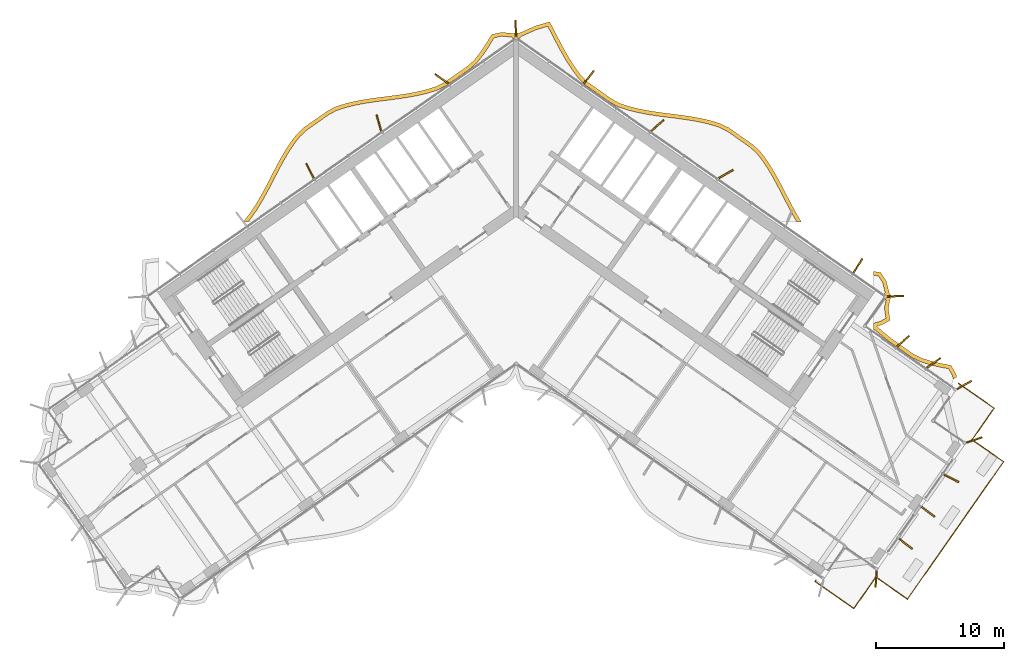
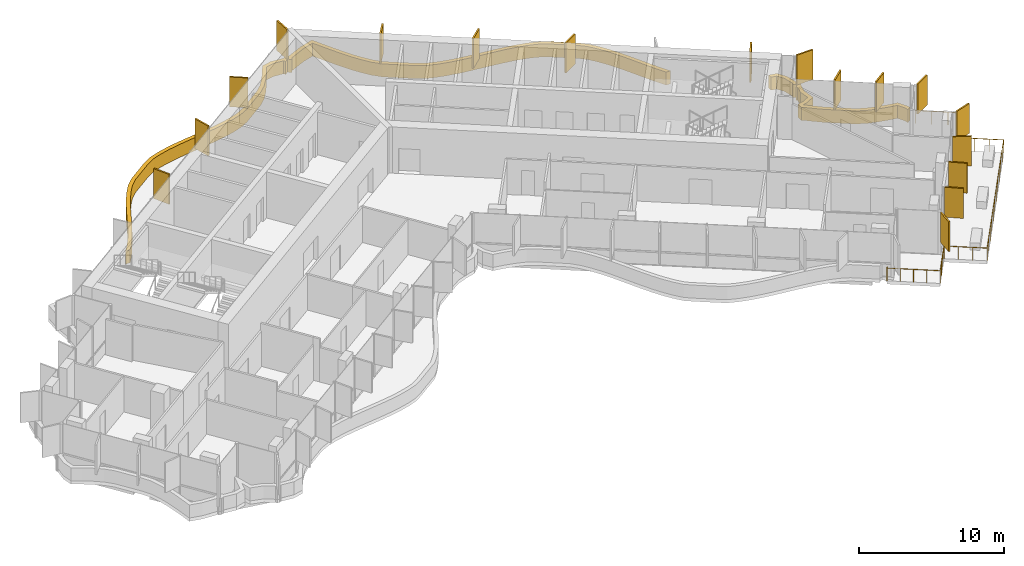
# One storey, part 22 of 23: 19 shading devices, 1 railing.
"""IFC4 building model written with IfcOpenShell, lengths in metres."""

from ifc_helpers import new_model, si_unit, direction, frame, origin, origin_2d, place, context, subcontext, project, spatial, polyline, rectangle, circle, outline, extrude, material, layer, layer_set, type_object, element, save


model = new_model("IFC4")

# Units and contexts
model_context = context("Model", 3, precision=1e-05, world=origin(), true_north=direction((0.0, 1.0)))
body_context = subcontext(model_context, "Body", "Model", "MODEL_VIEW")
ifc_project = project(units=[si_unit("LENGTHUNIT", "METRE"), si_unit("AREAUNIT", "SQUARE_METRE"), si_unit("VOLUMEUNIT", "CUBIC_METRE"), si_unit("PLANEANGLEUNIT", "RADIAN"), si_unit("MASSUNIT", "GRAM", prefix="KILO")], contexts=[model_context])

# Site, building, storey
site_placement = place(None, origin())
site = spatial("IfcSite", under=ifc_project, at=site_placement, CompositionType="ELEMENT")
building_placement = place(site_placement, origin())
building = spatial("IfcBuilding", under=site, at=building_placement, Name="Tel Ilan Convention Tower", CompositionType="ELEMENT")
storey_placement = place(building_placement, frame((0.0, 0.0, 190.5)))
storey = spatial("IfcBuildingStorey", under=building, at=storey_placement, Name="L44", CompositionType="ELEMENT", Elevation=190.5)

# Shading devices
ifc_material_1 = material(Name="Aluminium, bronze anodised", Category="aluminium")
ifc_layer_1 = layer(ifc_material_1, 0.1201171875)
ifc_layer_set_1 = layer_set([ifc_layer_1], Name="FIN BRONZE 1300x120")
shading_device_type_1 = type_object("IfcShadingDeviceType", Name="FIN BRONZE 1300x120", PredefinedType="USERDEFINED", material=ifc_layer_set_1)
for number, where, z_axis, x_axis, name in (
    (1, (30.401611328125, -26.758544921875, 1.10009765625), (0.0, 0.0, 1.0), (0.790392669516, -0.612600545196, 0.0), "FIN"),
    (2, (32.151123046875, -24.260009765625, 1.10009765625), (0.0, 0.0, 1.0), (0.790392669516, -0.612600545196, 0.0), "FIN"),
    (3, (33.972412109375, -21.658447265625, 1.10009765625), (0.0, 0.0, 1.0), (0.893632640321, -0.448799180206, 0.0), "FIN"),
    (4, (35.75927734375, -18.65771484375, 1.10009765625), (0.0, 0.0, 1.0), (0.949242643575, 0.314544756146, 0.0), "FIN"),
    (5, (34.982666015625, -14.362548828125, 1.10009765625), (0.0, 0.0, 1.0), (0.870832754082, 0.491579408049, 0.0), "FIN"),
    (6, (32.58935546875, -12.647216796875, 1.10009765625), (0.0, 0.0, 1.0), (0.813552070258, 0.581492071294, 0.0), "FIN"),
    (7, (30.19873046875, -10.958251953125, 1.10009765625), (0.0, 0.0, 1.0), (0.753435896329, 0.657521368568, 0.0), "FIN"),
    (8, (29.61669921875, -7.438720703125, 1.10009765625), (0.0, 0.0, 1.0), (0.999576950082, 0.029084718749, 0.0), "FIN"),
    (9, (26.674072265625, -5.063720703125, 1.10009765625), (0.0, 0.0, 1.0), (0.533204432798, 0.845986425922, 0.0), "FIN"),
    (10, (16.372802734375, 2.103271484375, 1.10009765625), (0.0, 0.0, 1.0), (0.866025403784, 0.5, 0.0), "FIN"),
    (11, (11.028076171875, 5.88330078125, 1.10009765625), (0.0, 0.0, 1.0), (0.753435896329, 0.657521368568, 0.0), "FIN"),
    (12, (5.664794921875, 9.647216796875, 1.10009765625), (0.0, 0.0, 1.0), (0.612600545196, 0.790392669516, 0.0), "FIN"),
    (13, (-0.031494140625, 13.4697265625, 1.10009765625), (0.0, 0.0, 1.0), (-0.048462378231, 0.998825008646, 0.0), "FIN"),
    (14, (-5.80517578125, 9.525390625, 1.10009765625), (0.0, 0.0, 1.0), (-0.813552070258, 0.581492071294, 0.0), "FIN"),
    (15, (-10.716064453125, 6.086669921875, 1.10009765625), (0.0, 0.0, 1.0), (-0.268172612768, 0.963370878614, 0.0), "FIN"),
    (16, (-16.092041015625, 2.345458984375, 1.10009765625), (0.0, 0.0, 1.0), (-0.448799180206, 0.893632640321, 0.0), "FIN"),
    (17, (28.094970703125, -29.51953125, 1.10009765625), (0.0, 0.0, 1.0), (-0.067821812994, -0.997697449973, 0.0), "FIN"),
):
    element("IfcShadingDevice", number, at=place(storey_placement, frame(where, z_axis=z_axis, x_axis=x_axis)), inside=storey, type_object=shading_device_type_1, Name=name, ObjectType="FIN", PredefinedType="USERDEFINED", context=body_context, shape_type="SweptSolid", body=[
        extrude(rectangle(XDim=1.300048828125, YDim=0.1201171875, at=origin_2d()), origin(), (0.0, 0.0, 1.0), 2.52001953125),
    ])
ifc_material_2 = material(Name="Aluminium, bronze anodised", Category="aluminium")
ifc_layer_2 = layer(ifc_material_2, 0.300048828125)
ifc_layer_set_2 = layer_set([ifc_layer_2], Name="LOUVRE BAND 300x1100")
shading_device_type_2 = type_object("IfcShadingDeviceType", Name="LOUVRE BAND 300x1100", PredefinedType="USERDEFINED", material=ifc_layer_set_2)
shading_device_1_placement = place(storey_placement, origin())
element("IfcShadingDevice", 18, at=shading_device_1_placement, inside=storey, type_object=shading_device_type_2, Name="LOUVRE BAND 34.01", ObjectType="LOUVRE", PredefinedType="USERDEFINED", context=body_context, shape_type="SweptSolid", body=[
    extrude(outline(polyline([(28.465576171875, -5.595458984375), (27.874755859375, -5.485595703125), (27.874755859375, -5.790771484375), (28.28271484375, -5.86669921875), (28.614990234375, -6.387451171875), (28.806640625, -7.1533203125), (28.713134765625, -7.286865234375), (28.958740234375, -7.458984375), (28.787353515625, -7.705322265625), (28.869384765625, -7.7626953125), (28.73974609375, -8.364990234375), (28.8642578125, -9.165283203125), (28.3837890625, -9.413330078125), (27.874755859375, -9.5439453125), (27.874755859375, -10.004150390625), (28.01806640625, -10.072021484375), (28.538330078125, -10.513916015625), (29.1044921875, -10.979248046875), (30.895751953125, -12.2333984375), (31.593505859375, -12.56591796875), (32.34228515625, -12.799072265625), (33.10986328125, -12.980712890625), (33.7529296875, -13.101806640625), (34.05615234375, -13.635498046875), (34.133544921875, -13.94140625), (34.1923828125, -13.873291015625), (34.26953125, -13.81298828125), (34.39599609375, -13.755615234375), (34.3369140625, -13.5224609375), (33.945068359375, -12.832763671875), (33.172119140625, -12.68701171875), (32.421630859375, -12.509521484375), (31.703369140625, -12.285888671875), (31.047119140625, -11.973388671875), (29.2861328125, -10.740234375), (28.730712890625, -10.28369140625), (28.18212890625, -9.817626953125), (28.123291015625, -9.789794921875), (28.491455078125, -9.6953125), (29.19384765625, -9.332763671875), (29.044921875, -8.373779296875), (29.20458984375, -7.631103515625), (29.199951171875, -7.6279296875), (29.236083984375, -7.57373046875), (29.2587890625, -7.458984375), (29.236083984375, -7.34423828125), (29.1708984375, -7.246826171875), (29.127685546875, -7.218017578125), (28.894287109375, -6.267333984375), (28.465576171875, -5.595458984375)])), origin(), (0.0, 0.0, 1.0), 1.10009765625),
])
shading_device_2_placement = place(storey_placement, origin())
element("IfcShadingDevice", 19, at=shading_device_2_placement, inside=storey, type_object=shading_device_type_2, Name="LOUVRE BAND 34.03", ObjectType="LOUVRE", PredefinedType="USERDEFINED", context=body_context, shape_type="SweptSolid", body=[
    extrude(outline(polyline([(-20.849609375, -1.0634765625), (-21.30126953125, -1.631591796875), (-20.91796875, -1.631591796875), (-20.607666015625, -1.2412109375), (-20.154052734375, -0.572265625), (-19.73291015625, 0.13330078125), (-19.335205078125, 0.86328125), (-18.57080078125, 2.342041015625), (-18.1845703125, 3.06298828125), (-17.78369140625, 3.75341796875), (-17.359619140625, 4.40185546875), (-16.911376953125, 4.99072265625), (-16.409912109375, 5.478515625), (-14.633056640625, 6.722412109375), (-14.02197265625, 7.05712890625), (-13.32763671875, 7.284912109375), (-12.58056640625, 7.4697265625), (-11.800048828125, 7.61669921875), (-10.994384765625, 7.73681640625), (-9.345458984375, 7.94873046875), (-8.521484375, 8.068603515625), (-7.710693359375, 8.216064453125), (-6.921875, 8.404296875), (-6.152587890625, 8.64794921875), (-5.447509765625, 9.00390625), (-3.604248046875, 10.29443359375), (-3.021484375, 10.82373046875), (-2.525634765625, 11.46142578125), (-2.076904296875, 12.135498046875), (-1.727783203125, 12.727294921875), (-1.12451171875, 12.861572265625), (-0.33935546875, 12.77978515625), (-0.24609375, 12.646728515625), (0.0, 12.818115234375), (0.24609375, 12.646728515625), (0.3701171875, 12.82373046875), (1.583984375, 13.365234375), (2.46484375, 13.628173828125), (3.115478515625, 12.37158203125), (3.5078125, 11.636474609375), (3.92041015625, 10.921630859375), (4.362548828125, 10.239501953125), (4.84716796875, 9.595947265625), (5.407958984375, 9.031494140625), (7.251220703125, 7.74072265625), (7.93212890625, 7.353759765625), (8.69921875, 7.09716796875), (9.48291015625, 6.89990234375), (10.2900390625, 6.745361328125), (11.112060546875, 6.621337890625), (12.762939453125, 6.408935546875), (13.572509765625, 6.29248046875), (14.3583984375, 6.15185546875), (15.11279296875, 5.97509765625), (15.819580078125, 5.75537109375), (16.44921875, 5.450927734375), (18.22607421875, 4.206787109375), (18.74951171875, 3.746826171875), (19.200927734375, 3.172607421875), (19.63037109375, 2.533447265625), (20.03515625, 1.850341796875), (20.423583984375, 1.13427734375), (21.186767578125, -0.3427734375), (21.5810546875, -1.075927734375), (21.906005859375, -1.631591796875), (22.25341796875, -1.631591796875), (21.8427734375, -0.928955078125), (21.4521484375, -0.202880859375), (20.688720703125, 1.27490234375), (20.296142578125, 1.998291015625), (19.884033203125, 2.69384765625), (19.44384765625, 3.34912109375), (18.96826171875, 3.9541015625), (18.41162109375, 4.443115234375), (16.6015625, 5.71044921875), (15.929931640625, 6.03515625), (15.191650390625, 6.2646484375), (14.419189453125, 6.44580078125), (13.6201171875, 6.588623046875), (12.80322265625, 6.7060546875), (11.15380859375, 6.91845703125), (10.340576171875, 7.041259765625), (9.547607421875, 7.19287109375), (8.783447265625, 7.385498046875), (8.054931640625, 7.62890625), (7.411865234375, 7.99462890625), (5.601806640625, 9.261962890625), (5.074462890625, 9.792724609375), (4.608642578125, 10.41162109375), (4.17626953125, 11.078369140625), (3.770263671875, 11.7822265625), (3.38134765625, 12.510986328125), (2.6162109375, 13.986328125), (1.4794921875, 13.647216796875), (0.168701171875, 13.059326171875), (0.11474609375, 13.09521484375), (0.0, 13.1181640625), (-0.11474609375, 13.09521484375), (-0.168701171875, 13.059326171875), (-1.14208984375, 13.1650390625), (-1.919921875, 12.991943359375), (-2.3310546875, 12.294921875), (-2.769287109375, 11.63671875), (-3.242431640625, 11.0283203125), (-3.7919921875, 10.529296875), (-5.601806640625, 9.261962890625), (-6.26611328125, 8.926513671875), (-7.002197265625, 8.693603515625), (-7.7724609375, 8.509765625), (-8.570068359375, 8.36474609375), (-9.385986328125, 8.24609375), (-11.03564453125, 8.033935546875), (-11.849853515625, 7.91259765625), (-12.644287109375, 7.76318359375), (-13.41064453125, 7.573486328125), (-14.141845703125, 7.33349609375), (-14.791748046875, 6.977783203125), (-16.6015625, 5.71044921875), (-17.136474609375, 5.1904296875), (-17.604736328125, 4.574951171875), (-18.0390625, 3.9111328125), (-18.44677734375, 3.209228515625), (-18.83642578125, 2.481689453125), (-19.60009765625, 1.004150390625), (-19.993408203125, 0.281982421875), (-20.4072265625, -0.4111328125), (-20.849609375, -1.0634765625)])), origin(), (0.0, 0.0, 1.0), 1.10009765625),
])

# Railing
ifc_material_3 = material(Name="Stainless steel S316", Category="steel")
railing_type = type_object("IfcRailingType", Name="TERRACE GUARD 1100", PredefinedType="GUARDRAIL", material=ifc_material_3)
railing_placement = place(storey_placement, frame((34.5380859375, -14.234619140625, 0.0)))
element("IfcRailing", 20, at=railing_placement, inside=storey, type_object=railing_type, Name="Terrace guard 34.01", PredefinedType="GUARDRAIL", context=body_context, shape_type="SweptSolid", body=[
    extrude(circle(Radius=0.02490234375, at=origin_2d()), frame((0.0, 0.0, 1.0751953125), z_axis=(0.819171076119, -0.573549255122, 0.0), x_axis=(0.573549255122, 0.819171076119, 0.0)), (0.0, 0.0, 1.0), 3.393310546875),
    extrude(circle(Radius=0.02490234375, at=origin_2d()), frame((2.77978515625, -1.9462890625, 1.0751953125), z_axis=(-0.573560650686, -0.819163097304, 0.0), x_axis=(0.819163097304, -0.573560650686, 0.0)), (0.0, 0.0, 1.0), 3.0),
    extrude(circle(Radius=0.02490234375, at=origin_2d()), frame((1.05908203125, -4.40380859375, 1.0751953125), z_axis=(0.819163097304, -0.573560650686, 0.0), x_axis=(0.573560650686, 0.819163097304, 0.0)), (0.0, 0.0, 1.0), 3.0),
    extrude(circle(Radius=0.02490234375, at=origin_2d()), frame((3.5166015625, -6.12451171875, 1.0751953125), z_axis=(-0.573577410084, -0.819151362473, 0.0), x_axis=(0.819151362473, -0.573577410084, 0.0)), (0.0, 0.0, 1.0), 13.10009765625),
    extrude(circle(Radius=0.02490234375, at=origin_2d()), frame((-3.997314453125, -16.85546875, 1.0751953125), z_axis=(-0.819163097304, 0.573560650686, 0.0), x_axis=(-0.573560650686, -0.819163097304, 0.0)), (0.0, 0.0, 1.0), 3.0),
    extrude(circle(Radius=0.02490234375, at=origin_2d()), frame((-6.454833984375, -15.134765625, 1.0751953125), z_axis=(-0.573598887793, -0.819136323161, 0.0), x_axis=(0.819136323161, -0.573598887793, 0.0)), (0.0, 0.0, 1.0), 2.999755859375),
    extrude(circle(Radius=0.02490234375, at=origin_2d()), frame((-8.175537109375, -17.592041015625, 1.0751953125), z_axis=(-0.819163713305, 0.573559770908, 0.0), x_axis=(-0.573559770908, -0.819163713305, 0.0)), (0.0, 0.0, 1.0), 3.69970703125),
    extrude(circle(Radius=0.02490234375, at=origin_2d()), frame((-11.206298828125, -15.469970703125, 1.0751953125), z_axis=(0.572328347348, 0.820024550134, 0.0), x_axis=(-0.820024550134, 0.572328347348, 0.0)), (0.0, 0.0, 1.0), 0.130126953125),
    extrude(circle(Radius=0.02490234375, at=origin_2d()), origin(), (0.0, 0.0, 1.0), 1.050048828125),
    extrude(circle(Radius=0.02490234375, at=origin_2d()), frame((0.926513671875, -0.648681640625, 0.0)), (0.0, 0.0, 1.0), 1.050048828125),
    extrude(circle(Radius=0.02490234375, at=origin_2d()), frame((1.853271484375, -1.297607421875, 0.0)), (0.0, 0.0, 1.0), 1.050048828125),
    extrude(circle(Radius=0.02490234375, at=origin_2d()), frame((2.77978515625, -1.9462890625, 0.0)), (0.0, 0.0, 1.0), 1.050048828125),
    extrude(circle(Radius=0.02490234375, at=origin_2d()), frame((2.206298828125, -2.765380859375, 0.0)), (0.0, 0.0, 1.0), 1.050048828125),
    extrude(circle(Radius=0.02490234375, at=origin_2d()), frame((1.632568359375, -3.584716796875, 0.0)), (0.0, 0.0, 1.0), 1.050048828125),
    extrude(circle(Radius=0.02490234375, at=origin_2d()), frame((1.05908203125, -4.40380859375, 0.0)), (0.0, 0.0, 1.0), 1.050048828125),
    extrude(circle(Radius=0.02490234375, at=origin_2d()), frame((1.878173828125, -4.977294921875, 0.0)), (0.0, 0.0, 1.0), 1.050048828125),
    extrude(circle(Radius=0.02490234375, at=origin_2d()), frame((2.697509765625, -5.551025390625, 0.0)), (0.0, 0.0, 1.0), 1.050048828125),
    extrude(circle(Radius=0.02490234375, at=origin_2d()), frame((3.5166015625, -6.12451171875, 0.0)), (0.0, 0.0, 1.0), 1.050048828125),
    extrude(circle(Radius=0.02490234375, at=origin_2d()), frame((2.83349609375, -7.10009765625, 0.0)), (0.0, 0.0, 1.0), 1.050048828125),
    extrude(circle(Radius=0.02490234375, at=origin_2d()), frame((2.150390625, -8.07568359375, 0.0)), (0.0, 0.0, 1.0), 1.050048828125),
    extrude(circle(Radius=0.02490234375, at=origin_2d()), frame((1.46728515625, -9.051025390625, 0.0)), (0.0, 0.0, 1.0), 1.050048828125),
    extrude(circle(Radius=0.02490234375, at=origin_2d()), frame((0.7841796875, -10.026611328125, 0.0)), (0.0, 0.0, 1.0), 1.050048828125),
    extrude(circle(Radius=0.02490234375, at=origin_2d()), frame((0.10107421875, -11.002197265625, 0.0)), (0.0, 0.0, 1.0), 1.050048828125),
    extrude(circle(Radius=0.02490234375, at=origin_2d()), frame((-0.581787109375, -11.977783203125, 0.0)), (0.0, 0.0, 1.0), 1.050048828125),
    extrude(circle(Radius=0.02490234375, at=origin_2d()), frame((-1.264892578125, -12.953369140625, 0.0)), (0.0, 0.0, 1.0), 1.050048828125),
    extrude(circle(Radius=0.02490234375, at=origin_2d()), frame((-1.947998046875, -13.928955078125, 0.0)), (0.0, 0.0, 1.0), 1.050048828125),
    extrude(circle(Radius=0.02490234375, at=origin_2d()), frame((-2.631103515625, -14.904296875, 0.0)), (0.0, 0.0, 1.0), 1.050048828125),
    extrude(circle(Radius=0.02490234375, at=origin_2d()), frame((-3.314208984375, -15.8798828125, 0.0)), (0.0, 0.0, 1.0), 1.050048828125),
    extrude(circle(Radius=0.02490234375, at=origin_2d()), frame((-3.997314453125, -16.85546875, 0.0)), (0.0, 0.0, 1.0), 1.050048828125),
    extrude(circle(Radius=0.02490234375, at=origin_2d()), frame((-4.81640625, -16.281982421875, 0.0)), (0.0, 0.0, 1.0), 1.050048828125),
    extrude(circle(Radius=0.02490234375, at=origin_2d()), frame((-5.6357421875, -15.708251953125, 0.0)), (0.0, 0.0, 1.0), 1.050048828125),
    extrude(circle(Radius=0.02490234375, at=origin_2d()), frame((-6.454833984375, -15.134765625, 0.0)), (0.0, 0.0, 1.0), 1.050048828125),
    extrude(circle(Radius=0.02490234375, at=origin_2d()), frame((-7.0283203125, -15.953857421875, 0.0)), (0.0, 0.0, 1.0), 1.050048828125),
    extrude(circle(Radius=0.02490234375, at=origin_2d()), frame((-7.60205078125, -16.77294921875, 0.0)), (0.0, 0.0, 1.0), 1.050048828125),
    extrude(circle(Radius=0.02490234375, at=origin_2d()), frame((-8.175537109375, -17.592041015625, 0.0)), (0.0, 0.0, 1.0), 1.050048828125),
    extrude(circle(Radius=0.02490234375, at=origin_2d()), frame((-8.93310546875, -17.0615234375, 0.0)), (0.0, 0.0, 1.0), 1.050048828125),
    extrude(circle(Radius=0.02490234375, at=origin_2d()), frame((-9.69091796875, -16.531005859375, 0.0)), (0.0, 0.0, 1.0), 1.050048828125),
    extrude(circle(Radius=0.02490234375, at=origin_2d()), frame((-10.44873046875, -16.00048828125, 0.0)), (0.0, 0.0, 1.0), 1.050048828125),
    extrude(circle(Radius=0.02490234375, at=origin_2d()), frame((-11.206298828125, -15.469970703125, 0.0)), (0.0, 0.0, 1.0), 1.050048828125),
    extrude(circle(Radius=0.02490234375, at=origin_2d()), frame((-11.1318359375, -15.36328125, 0.0)), (0.0, 0.0, 1.0), 1.050048828125),
])

save(model, "model.ifc")
